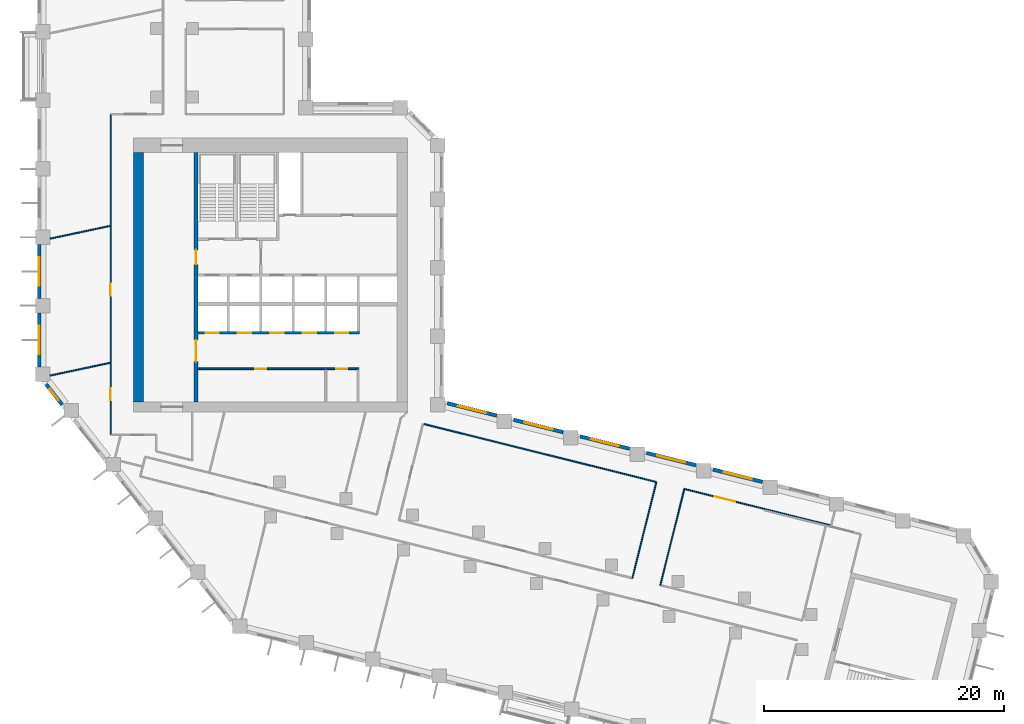
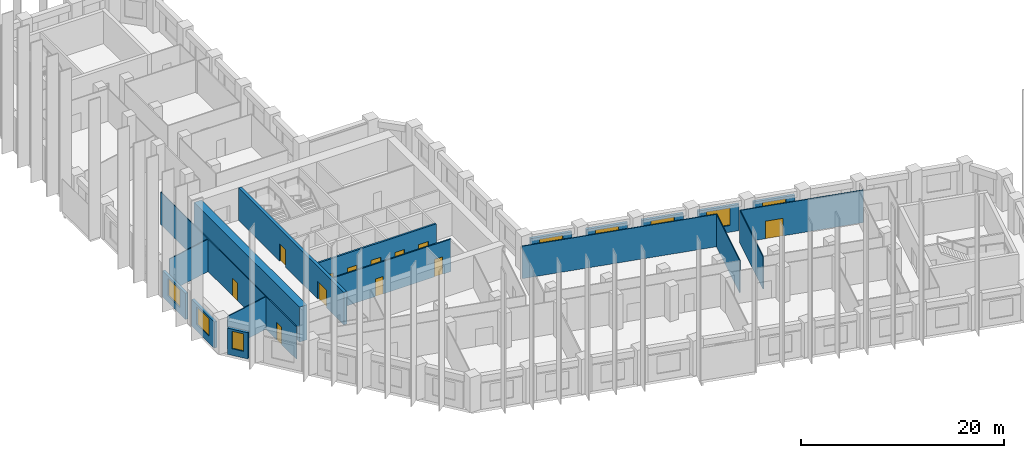
# One storey, part 4 of 10: 19 walls, 12 doors, 8 windows, 20 openings.
"""IFC4 building model written with IfcOpenShell, lengths in metres."""

import ifcopenshell
import ifcopenshell.guid

model = None  # the IFC model being written
_history = None  # IfcOwnerHistory: only IFC2X3 demands one
_inside = {}  # id of a spatial element -> (the spatial element, [elements in it])
_under = {}  # id of a project, library or spatial element -> (it, [spatial elements below it])
_declared = {}  # id of a project -> (the project, [libraries it declares])
_typed = {}  # id of a type object -> (the type object, [elements of that type])
_made_of = {}  # id of a material, layer set ... -> (it, [elements and type objects made of it])


def new_model(schema):
    """Start an empty IFC model of exactly this schema.

    Asked for "IFC4X3", IfcOpenShell would pick the latest addendum, in which some entities
    have other attributes; the version numbers below select the first issue.
    IFC2X3 requires an IfcOwnerHistory on every rooted entity: one is made here for all.
    """
    global model, _history
    if schema == "IFC4X3":
        model = ifcopenshell.file(schema_version=(4, 3, 0, 0))
    else:
        model = ifcopenshell.file(schema=schema)
    _inside.clear()
    _under.clear()
    _declared.clear()
    _typed.clear()
    _made_of.clear()
    _history = None
    if model.schema == "IFC2X3":
        org = make("IfcOrganization", Name="unknown")
        user = make(
            "IfcPersonAndOrganization",
            ThePerson=make("IfcPerson", FamilyName="unknown"),
            TheOrganization=org,
        )
        app = make(
            "IfcApplication",
            ApplicationDeveloper=org,
            Version="unknown",
            ApplicationFullName="unknown",
            ApplicationIdentifier="unknown",
        )
        _history = make(
            "IfcOwnerHistory",
            OwningUser=user,
            OwningApplication=app,
            ChangeAction="ADDED",
            CreationDate=0,
        )
    return model


def make(cls, **values):
    """One entity of the class cls with the attributes given. An attribute that is None is left unset."""
    return model.create_entity(
        cls, **{name: value for name, value in values.items() if value is not None}
    )


def rooted(cls, **values):
    """An entity with a GlobalId (a new one), such as an element, a storey or a relation."""
    return make(cls, GlobalId=ifcopenshell.guid.new(), OwnerHistory=_history, **values)


def si_unit(unit_type, name, prefix=None):
    """IfcSIUnit, for example si_unit("LENGTHUNIT", "METRE", prefix="MILLI")."""
    return make("IfcSIUnit", UnitType=unit_type, Prefix=prefix, Name=name)


def assignment(units):
    """IfcUnitAssignment: the units of a project."""
    return None if units is None else make("IfcUnitAssignment", Units=units)


def point(xyz):
    """IfcCartesianPoint."""
    return None if xyz is None else make("IfcCartesianPoint", Coordinates=xyz)


def direction(xyz):
    """IfcDirection."""
    return None if xyz is None else make("IfcDirection", DirectionRatios=xyz)


def frame(location, z_axis=None, x_axis=None):
    """IfcAxis2Placement3D, a coordinate frame: its origin and axes. An axis left out is left unset."""
    return make(
        "IfcAxis2Placement3D",
        Location=point(location),
        Axis=direction(z_axis),
        RefDirection=direction(x_axis),
    )


def frame_2d(location, x_axis=None):
    """IfcAxis2Placement2D, a coordinate frame in the plane: its origin and x axis."""
    return make(
        "IfcAxis2Placement2D", Location=point(location), RefDirection=direction(x_axis)
    )


def origin():
    """The frame at (0, 0, 0) with its axes left unset."""
    return frame((0.0, 0.0, 0.0))


def place(relative_to, where):
    """IfcLocalPlacement: puts the frame where relative to a parent placement (None: the world)."""
    return make(
        "IfcLocalPlacement", PlacementRelTo=relative_to, RelativePlacement=where
    )


def context(
    kind, dimensions, precision=None, world=None, true_north=None, identifier=None
):
    """IfcGeometricRepresentationContext, for example the 3D "Model" context."""
    return make(
        "IfcGeometricRepresentationContext",
        ContextIdentifier=identifier,
        ContextType=kind,
        CoordinateSpaceDimension=dimensions,
        Precision=precision,
        WorldCoordinateSystem=world,
        TrueNorth=true_north,
    )


def subcontext(parent, identifier, kind, view, scale=None):
    """IfcGeometricRepresentationSubContext, for example "Body" below "Model"."""
    return make(
        "IfcGeometricRepresentationSubContext",
        ContextIdentifier=identifier,
        ContextType=kind,
        ParentContext=parent,
        TargetScale=scale,
        TargetView=view,
    )


def project(units=None, contexts=None):
    """IfcProject with its units and contexts."""
    return rooted(
        "IfcProject",
        Name="project",
        RepresentationContexts=contexts,
        UnitsInContext=assignment(units),
    )


def spatial(cls, under=None, at=None, **own):
    """A site, building, storey or space (cls), placed at a placement, below another one or the project."""
    s = rooted(cls, ObjectPlacement=at, **own)
    if under is not None:
        _under.setdefault(under.id(), (under, []))[1].append(s)
    return s


def profile(cls, at=None, kind="AREA", **sizes):
    """A parametric profile (cls). Its sizes go by their IFC names, for example OverallWidth=200.0."""
    return make(cls, ProfileType=kind, Position=at, **sizes)


def rectangle(**sizes):
    """IfcRectangleProfileDef."""
    return profile("IfcRectangleProfileDef", **sizes)


def extrude(swept, where, along, depth):
    """IfcExtrudedAreaSolid: the profile swept, set in the frame where, extruded along a direction by depth."""
    return make(
        "IfcExtrudedAreaSolid",
        SweptArea=swept,
        Position=where,
        ExtrudedDirection=direction(along),
        Depth=depth,
    )


def shape(context_of_items, identifier, shape_type, items):
    """IfcShapeRepresentation: the items that make up one representation, for example the "Body"."""
    return make(
        "IfcShapeRepresentation",
        ContextOfItems=context_of_items,
        RepresentationIdentifier=identifier,
        RepresentationType=shape_type,
        Items=items,
    )


def material(Name=None, Category=None):
    """IfcMaterial."""
    return make("IfcMaterial", Name=Name, Category=Category)


def layer(
    of_material, thickness, ventilated=None, Name=None, Category=None, Priority=None
):
    """IfcMaterialLayer: one layer of a wall or slab, of a material (None: an air gap)."""
    return make(
        "IfcMaterialLayer",
        Material=of_material,
        LayerThickness=thickness,
        IsVentilated=ventilated,
        Name=Name,
        Category=Category,
        Priority=Priority,
    )


def layer_set(layers, Name=None):
    """IfcMaterialLayerSet."""
    return make("IfcMaterialLayerSet", MaterialLayers=layers, LayerSetName=Name)


def made_of(thing, what):
    """Note that an element or type object is made of a material, layer set ...; save() writes the relation."""
    if what is not None:
        _made_of.setdefault(what.id(), (what, []))[1].append(thing)
    return thing


def type_object(cls, material=None, **own):
    """A type object (cls), such as IfcWallType, which elements share."""
    return made_of(rooted(cls, **own), material)


def element(
    cls,
    number,
    at=None,
    inside=None,
    cuts=None,
    type_object=None,
    material=None,
    context=None,
    identifier="Body",
    shape_type=None,
    held_by="IfcProductDefinitionShape",
    body=None,
    shapes=None,
    **own,
):
    """One element of the class cls, such as IfcWall. Its Tag is "e" and its number.

    at: its placement. inside: the storey or other place that contains it. cuts: it is an
    opening in that element (IfcRelVoidsElement). A single representation is given by context,
    identifier, shape_type and body (its items); several are given by shapes. held_by: the class
    of the entity that holds the representations. save() writes the other relations.
    """
    e = rooted(cls, Tag="e%d" % number, ObjectPlacement=at, **own)
    if body is not None:
        shapes = [shape(context, identifier, shape_type, body)]
    if shapes is not None:
        e.Representation = make(held_by, Representations=shapes)
    if inside is not None:
        _inside.setdefault(inside.id(), (inside, []))[1].append(e)
    if cuts is not None:
        rooted(
            "IfcRelVoidsElement", RelatingBuildingElement=cuts, RelatedOpeningElement=e
        )
    if type_object is not None:
        _typed.setdefault(type_object.id(), (type_object, []))[1].append(e)
    return made_of(e, material)


def fill(opening, filler):
    """IfcRelFillsElement: the door or window that sits in an opening."""
    return rooted(
        "IfcRelFillsElement",
        RelatingOpeningElement=opening,
        RelatedBuildingElement=filler,
    )


def aggregate(whole, parts):
    """IfcRelAggregates: a whole, such as a stair, and the parts it consists of."""
    return rooted("IfcRelAggregates", RelatingObject=whole, RelatedObjects=parts)


def save(model, path):
    """Write the relations noted so far, then the file.

    IfcRelAggregates (storeys below a building ...), IfcRelContainedInSpatialStructure (elements
    in a storey), IfcRelDefinesByType, IfcRelAssociatesMaterial and IfcRelDeclares: one each for
    every whole, place, type object, material and project.
    """
    for whole, parts in _under.values():
        aggregate(whole, parts)
    for where, things in _inside.values():
        rooted(
            "IfcRelContainedInSpatialStructure",
            RelatedElements=things,
            RelatingStructure=where,
        )
    for kind, things in _typed.values():
        rooted("IfcRelDefinesByType", RelatedObjects=things, RelatingType=kind)
    for what, things in _made_of.values():
        rooted("IfcRelAssociatesMaterial", RelatedObjects=things, RelatingMaterial=what)
    for by, libraries in _declared.values():
        rooted("IfcRelDeclares", RelatingContext=by, RelatedDefinitions=libraries)
    model.write(path)


model = new_model("IFC4")

# Units and contexts
model_context = context("Model", 3, precision=1e-05, world=origin(), true_north=direction((0.0, 1.0)))
body_context = subcontext(model_context, "Body", "Model", "MODEL_VIEW")
ifc_project = project(units=[si_unit("LENGTHUNIT", "METRE"), si_unit("AREAUNIT", "SQUARE_METRE"), si_unit("VOLUMEUNIT", "CUBIC_METRE"), si_unit("PLANEANGLEUNIT", "RADIAN"), si_unit("MASSUNIT", "GRAM", prefix="KILO")], contexts=[model_context])

# Site, building, storey
site_placement = place(None, origin())
site = spatial("IfcSite", under=ifc_project, at=site_placement, CompositionType="ELEMENT")
building_placement = place(site_placement, origin())
building = spatial("IfcBuilding", under=site, at=building_placement, Name="Meshkara Civic Tower", CompositionType="ELEMENT")
storey_placement = place(building_placement, frame((0.0, 0.0, 178.199951171875)))
storey = spatial("IfcBuildingStorey", under=building, at=storey_placement, Name="L40", CompositionType="ELEMENT", Elevation=178.199951171875)

# Wall, openings, doors
ifc_material_1 = material(Name="Blockwork", Category="masonry")
ifc_layer_1 = layer(ifc_material_1, 0.14990234375)
ifc_layer_set_1 = layer_set([ifc_layer_1], Name="Core partition 150")
wall_type_1 = type_object("IfcWallType", Name="Core partition 150", PredefinedType="PARTITIONING", material=ifc_layer_set_1)
wall_1_placement = place(storey_placement, frame((13.3701171875, 17.699951171875, 0.0), z_axis=(0.0, 0.0, 1.0), x_axis=(1.0, 0.0, 0.0)))
wall_1 = element("IfcWall", 1, at=wall_1_placement, inside=storey, type_object=wall_type_1, Name="L40-C005", PredefinedType="PARTITIONING", context=body_context, shape_type="SweptSolid", body=[
    extrude(rectangle(XDim=13.40478515625, YDim=0.14990234375, at=frame_2d((6.702392578125, 0.0))), origin(), (0.0, 0.0, 1.0), 3.900146484375),
])
opening_1_placement = place(wall_1_placement, frame((4.780029296875, 0.0, 0.0)))
opening_1 = element("IfcOpeningElement", 2, at=opening_1_placement, cuts=wall_1, Name="Opening L40-K010", PredefinedType="OPENING", context=body_context, shape_type="SweptSolid", body=[
    extrude(rectangle(XDim=0.89990234375, YDim=2.10009765625, at=frame_2d((0.449951171875, 1.050048828125))), frame((0.0, 0.0849609375, 0.0), z_axis=(0.0, -1.0, 0.0), x_axis=(1.0, 0.0, 0.0)), (0.0, 0.0, 1.0), 0.169921875),
])
opening_2_placement = place(wall_1_placement, frame((11.530029296875, 0.0, 0.0)))
opening_2 = element("IfcOpeningElement", 3, at=opening_2_placement, cuts=wall_1, Name="Opening L40-K011", PredefinedType="OPENING", context=body_context, shape_type="SweptSolid", body=[
    extrude(rectangle(XDim=0.89990234375, YDim=2.10009765625, at=frame_2d((0.449951171875, 1.050048828125))), frame((0.0, 0.0849609375, 0.0), z_axis=(0.0, -1.0, 0.0), x_axis=(1.0, 0.0, 0.0)), (0.0, 0.0, 1.0), 0.169921875),
])
ifc_material_2 = material(Name="Timber door leaf in steel frame", Category="steel")
door_type_1 = type_object("IfcDoorType", Name="Core room door 900", OperationType="SINGLE_SWING_LEFT", PredefinedType="DOOR", material=ifc_material_2)
door_1_placement = place(opening_1_placement, origin())
door_1 = element("IfcDoor", 4, at=door_1_placement, inside=storey, type_object=door_type_1, Name="L40-K010", OperationType="SINGLE_SWING_LEFT", OverallHeight=2.10009765625, OverallWidth=0.89990234375, PredefinedType="DOOR", context=body_context, shape_type="SweptSolid", body=[
    extrude(rectangle(XDim=0.89990234375, YDim=2.10009765625, at=frame_2d((0.449951171875, 1.050048828125))), frame((0.0, 0.02490234375, 0.0), z_axis=(0.0, -1.0, 0.0), x_axis=(1.0, 0.0, 0.0)), (0.0, 0.0, 1.0), 0.050048828125),
])
fill(opening_1, door_1)
door_2_placement = place(opening_2_placement, origin())
door_2 = element("IfcDoor", 5, at=door_2_placement, inside=storey, type_object=door_type_1, Name="L40-K011", OperationType="SINGLE_SWING_LEFT", OverallHeight=2.10009765625, OverallWidth=0.89990234375, PredefinedType="DOOR", context=body_context, shape_type="SweptSolid", body=[
    extrude(rectangle(XDim=0.89990234375, YDim=2.10009765625, at=frame_2d((0.449951171875, 1.050048828125))), frame((0.0, 0.02490234375, 0.0), z_axis=(0.0, -1.0, 0.0), x_axis=(1.0, 0.0, 0.0)), (0.0, 0.0, 1.0), 0.050048828125),
])
fill(opening_2, door_2)

# Wall
ifc_material_3 = material(Name="Concrete C70", Category="concrete")
ifc_layer_2 = layer(ifc_material_3, 0.85009765625)
ifc_layer_set_2 = layer_set([ifc_layer_2], Name="Core ring wall 850 C70")
wall_type_2 = type_object("IfcWallType", Name="Core ring wall 850 C70", PredefinedType="SHEAR", material=ifc_layer_set_2)
wall_2_placement = place(storey_placement, frame((8.425048828125, 14.949951171875, -0.300048828125), z_axis=(0.0, 0.0, 1.0), x_axis=(0.0, 1.0, 0.0)))
element("IfcWall", 6, at=wall_2_placement, inside=storey, type_object=wall_type_2, Name="L40-C003", PredefinedType="SHEAR", context=body_context, shape_type="SweptSolid", body=[
    extrude(rectangle(XDim=20.75, YDim=0.85009765625, at=frame_2d((10.375, 0.0))), origin(), (0.0, 0.0, 1.0), 4.2001953125),
])

# Wall, openings, doors
ifc_material_4 = material(Name="Concrete C70", Category="concrete")
ifc_layer_3 = layer(ifc_material_4, 0.340087890625)
ifc_layer_set_3 = layer_set([ifc_layer_3], Name="Core shear wall 340 C70")
wall_type_3 = type_object("IfcWallType", Name="Core shear wall 340 C70", PredefinedType="SHEAR", material=ifc_layer_set_3)
wall_3_placement = place(storey_placement, frame((13.199951171875, 14.949951171875, 0.0), z_axis=(0.0, 0.0, 1.0), x_axis=(0.0, 1.0, 0.0)))
wall_3 = element("IfcWall", 7, at=wall_3_placement, inside=storey, type_object=wall_type_3, Name="L40-C011", PredefinedType="SHEAR", context=body_context, shape_type="SweptSolid", body=[
    extrude(rectangle(XDim=20.75, YDim=0.340087890625, at=frame_2d((10.375, 0.0))), origin(), (0.0, 0.0, 1.0), 3.900146484375),
])
opening_3_placement = place(wall_3_placement, frame((3.35009765625, 0.0, 0.0)))
opening_3 = element("IfcOpeningElement", 8, at=opening_3_placement, cuts=wall_3, Name="Opening L40-K016", PredefinedType="OPENING", context=body_context, shape_type="SweptSolid", body=[
    extrude(rectangle(XDim=1.800048828125, YDim=2.10009765625, at=frame_2d((0.89990234375, 1.050048828125))), frame((0.0, 0.179931640625, 0.0), z_axis=(0.0, -1.0, 0.0), x_axis=(1.0, 0.0, 0.0)), (0.0, 0.0, 1.0), 0.360107421875),
])
opening_4_placement = place(wall_3_placement, frame((11.449951171875, 0.0, 0.0)))
opening_4 = element("IfcOpeningElement", 9, at=opening_4_placement, cuts=wall_3, Name="Opening L40-K017", PredefinedType="OPENING", context=body_context, shape_type="SweptSolid", body=[
    extrude(rectangle(XDim=1.199951171875, YDim=2.10009765625, at=frame_2d((0.60009765625, 1.050048828125))), frame((0.0, 0.179931640625, 0.0), z_axis=(0.0, -1.0, 0.0), x_axis=(1.0, 0.0, 0.0)), (0.0, 0.0, 1.0), 0.360107421875),
])
ifc_material_5 = material(Name="Fire-rated door leaf in steel frame", Category="steel")
door_type_2 = type_object("IfcDoorType", Name="Core double door 1800 EI 60", OperationType="DOUBLE_DOOR_SINGLE_SWING", PredefinedType="DOOR", material=ifc_material_5)
door_3_placement = place(opening_3_placement, origin())
door_3 = element("IfcDoor", 10, at=door_3_placement, inside=storey, type_object=door_type_2, Name="L40-K016", OperationType="DOUBLE_DOOR_SINGLE_SWING", OverallHeight=2.10009765625, OverallWidth=1.800048828125, PredefinedType="DOOR", context=body_context, shape_type="SweptSolid", body=[
    extrude(rectangle(XDim=1.800048828125, YDim=2.10009765625, at=frame_2d((0.89990234375, 1.050048828125))), frame((0.0, 0.02490234375, 0.0), z_axis=(0.0, -1.0, 0.0), x_axis=(1.0, 0.0, 0.0)), (0.0, 0.0, 1.0), 0.050048828125),
])
fill(opening_3, door_3)
ifc_material_6 = material(Name="Fire-rated door leaf in steel frame", Category="steel")
door_type_3 = type_object("IfcDoorType", Name="Fire-fighting lobby door 1200 EI 120", OperationType="SINGLE_SWING_LEFT", PredefinedType="DOOR", material=ifc_material_6)
door_4_placement = place(opening_4_placement, origin())
door_4 = element("IfcDoor", 11, at=door_4_placement, inside=storey, type_object=door_type_3, Name="L40-K017", OperationType="SINGLE_SWING_LEFT", OverallHeight=2.10009765625, OverallWidth=1.199951171875, PredefinedType="DOOR", context=body_context, shape_type="SweptSolid", body=[
    extrude(rectangle(XDim=1.199951171875, YDim=2.10009765625, at=frame_2d((0.60009765625, 1.050048828125))), frame((0.0, 0.02490234375, 0.0), z_axis=(0.0, -1.0, 0.0), x_axis=(1.0, 0.0, 0.0)), (0.0, 0.0, 1.0), 0.050048828125),
])
fill(opening_4, door_4)

ifc_material_7 = material(Name="Corridor wall 100")
ifc_layer_4 = layer(ifc_material_7, 0.10009765625)
ifc_layer_set_4 = layer_set([ifc_layer_4], Name="Corridor wall 100")
wall_type_4 = type_object("IfcWallType", Name="Corridor wall 100", PredefinedType="PARTITIONING", material=ifc_layer_set_4)
wall_4_placement = place(storey_placement, frame((6.10009765625, 12.199951171875, 0.0), z_axis=(0.0, 0.0, 1.0), x_axis=(0.0, 1.0, 0.0)))
wall_4 = element("IfcWall", 12, at=wall_4_placement, inside=storey, type_object=wall_type_4, Name="L40-W004", PredefinedType="PARTITIONING", context=body_context, shape_type="SweptSolid", body=[
    extrude(rectangle(XDim=26.699951171875, YDim=0.10009765625, at=frame_2d((13.35009765625, 0.0))), origin(), (0.0, 0.0, 1.0), 3.900146484375),
])
opening_5_placement = place(wall_4_placement, frame((2.8798828125, 0.0, 0.0)))
opening_5 = element("IfcOpeningElement", 13, at=opening_5_placement, cuts=wall_4, Name="Opening L40-D014", PredefinedType="OPENING", context=body_context, shape_type="SweptSolid", body=[
    extrude(rectangle(XDim=1.0, YDim=2.10009765625, at=frame_2d((0.5, 1.050048828125))), frame((0.0, 0.06005859375, 0.0), z_axis=(0.0, -1.0, 0.0), x_axis=(1.0, 0.0, 0.0)), (0.0, 0.0, 1.0), 0.1201171875),
])
opening_6_placement = place(wall_4_placement, frame((11.577880859375, 0.0, 0.0)))
opening_6 = element("IfcOpeningElement", 14, at=opening_6_placement, cuts=wall_4, Name="Opening L40-D016", PredefinedType="OPENING", context=body_context, shape_type="SweptSolid", body=[
    extrude(rectangle(XDim=1.0, YDim=2.10009765625, at=frame_2d((0.5, 1.050048828125))), frame((0.0, 0.06005859375, 0.0), z_axis=(0.0, -1.0, 0.0), x_axis=(1.0, 0.0, 0.0)), (0.0, 0.0, 1.0), 0.1201171875),
])
ifc_material_8 = material(Name="Door 1000 x 2100")
door_type_4 = type_object("IfcDoorType", Name="Door 1000 x 2100", OperationType="SINGLE_SWING_LEFT", PredefinedType="DOOR", material=ifc_material_8)
door_5_placement = place(opening_5_placement, origin())
door_5 = element("IfcDoor", 15, at=door_5_placement, inside=storey, type_object=door_type_4, Name="L40-D014", OperationType="SINGLE_SWING_RIGHT", OverallHeight=2.10009765625, OverallWidth=1.0, PredefinedType="DOOR", context=body_context, shape_type="SweptSolid", body=[
    extrude(rectangle(XDim=1.0, YDim=2.10009765625, at=frame_2d((0.5, 1.050048828125))), frame((0.0, 0.02490234375, 0.0), z_axis=(0.0, -1.0, 0.0), x_axis=(1.0, 0.0, 0.0)), (0.0, 0.0, 1.0), 0.050048828125),
])
fill(opening_5, door_5)
door_6_placement = place(opening_6_placement, origin())
door_6 = element("IfcDoor", 16, at=door_6_placement, inside=storey, type_object=door_type_4, Name="L40-D016", OperationType="SINGLE_SWING_RIGHT", OverallHeight=2.10009765625, OverallWidth=1.0, PredefinedType="DOOR", context=body_context, shape_type="SweptSolid", body=[
    extrude(rectangle(XDim=1.0, YDim=2.10009765625, at=frame_2d((0.5, 1.050048828125))), frame((0.0, 0.02490234375, 0.0), z_axis=(0.0, -1.0, 0.0), x_axis=(1.0, 0.0, 0.0)), (0.0, 0.0, 1.0), 0.050048828125),
])
fill(opening_6, door_6)

# Walls
wall_5_placement = place(storey_placement, frame((32.196044921875, 13.10009765625, 0.0), z_axis=(0.0, 0.0, 1.0), x_axis=(0.970300822777, -0.241901453734, 0.0)))
element("IfcWall", 17, at=wall_5_placement, inside=storey, type_object=wall_type_4, Name="L40-W029", PredefinedType="PARTITIONING", context=body_context, shape_type="SweptSolid", body=[
    extrude(rectangle(XDim=19.9296875, YDim=0.10009765625, at=frame_2d((9.96484375, 0.0))), origin(), (0.0, 0.0, 1.0), 3.900146484375),
])
wall_6_placement = place(storey_placement, frame((51.533935546875, 8.279052734375, 0.0), z_axis=(0.0, 0.0, 1.0), x_axis=(-0.241999851509, -0.970276286359, 0.0)))
element("IfcWall", 18, at=wall_6_placement, inside=storey, type_object=wall_type_4, Name="L40-W031", PredefinedType="PARTITIONING", context=body_context, shape_type="SweptSolid", body=[
    extrude(rectangle(XDim=8.25634765625, YDim=0.10009765625, at=frame_2d((4.128173828125, 0.0))), origin(), (0.0, 0.0, 1.0), 3.900146484375),
])
wall_7_placement = place(storey_placement, frame((51.864990234375, -0.31298828125, 0.0), z_axis=(0.0, 0.0, 1.0), x_axis=(0.241888494143, 0.970304053584, 0.0)))
element("IfcWall", 19, at=wall_7_placement, inside=storey, type_object=wall_type_4, Name="L40-W032", PredefinedType="PARTITIONING", context=body_context, shape_type="SweptSolid", body=[
    extrude(rectangle(XDim=8.256103515625, YDim=0.10009765625, at=frame_2d((4.1279296875, 0.0))), origin(), (0.0, 0.0, 1.0), 3.900146484375),
])

# Wall, opening, door
wall_8_placement = place(storey_placement, frame((53.862060546875, 7.697998046875, 0.0), z_axis=(0.0, 0.0, 1.0), x_axis=(0.970293911745, -0.24192917317, 0.0)))
wall_8 = element("IfcWall", 20, at=wall_8_placement, inside=storey, type_object=wall_type_4, Name="L40-W033", PredefinedType="PARTITIONING", context=body_context, shape_type="SweptSolid", body=[
    extrude(rectangle(XDim=12.59912109375, YDim=0.10009765625, at=frame_2d((6.299560546875, 0.0))), origin(), (0.0, 0.0, 1.0), 3.900146484375),
])
opening_7_placement = place(wall_8_placement, frame((2.580078125, 0.0, 0.0)))
opening_7 = element("IfcOpeningElement", 21, at=opening_7_placement, cuts=wall_8, Name="Opening L40-D013", PredefinedType="OPENING", context=body_context, shape_type="SweptSolid", body=[
    extrude(rectangle(XDim=1.800048828125, YDim=2.10009765625, at=frame_2d((0.89990234375, 1.050048828125))), frame((0.0, 0.06005859375, 0.0), z_axis=(0.0, -1.0, 0.0), x_axis=(1.0, 0.0, 0.0)), (0.0, 0.0, 1.0), 0.1201171875),
])
ifc_material_9 = material(Name="Door pair 1800 x 2100")
door_type_5 = type_object("IfcDoorType", Name="Door pair 1800 x 2100", OperationType="SINGLE_SWING_LEFT", PredefinedType="DOOR", material=ifc_material_9)
door_7_placement = place(opening_7_placement, origin())
door_7 = element("IfcDoor", 22, at=door_7_placement, inside=storey, type_object=door_type_5, Name="L40-D013", OperationType="DOUBLE_DOOR_SINGLE_SWING", OverallHeight=2.10009765625, OverallWidth=1.800048828125, PredefinedType="DOOR", context=body_context, shape_type="SweptSolid", body=[
    extrude(rectangle(XDim=1.800048828125, YDim=2.10009765625, at=frame_2d((0.89990234375, 1.050048828125))), frame((0.0, 0.02490234375, 0.0), z_axis=(0.0, -1.0, 0.0), x_axis=(1.0, 0.0, 0.0)), (0.0, 0.0, 1.0), 0.050048828125),
])
fill(opening_7, door_7)

# Wall, opening, window
ifc_material_10 = material(Name="Insulated infill panel with bronze anodised aluminium cladding", Category="aluminium")
ifc_layer_5 = layer(ifc_material_10, 0.300048828125)
ifc_layer_set_5 = layer_set([ifc_layer_5], Name="EXTERNAL INFILL WALL 300")
wall_type_5 = type_object("IfcWallType", Name="EXTERNAL INFILL WALL 300", PredefinedType="SOLIDWALL", material=ifc_layer_set_5)
wall_9_placement = place(storey_placement, frame((60.3701171875, 8.291015625, 0.0), z_axis=(0.0, 0.0, 1.0), x_axis=(-0.970291164166, 0.241940192487, 0.0)))
wall_9 = element("IfcWall", 23, at=wall_9_placement, inside=storey, type_object=wall_type_5, Name="External wall", PredefinedType="SOLIDWALL", context=body_context, shape_type="SweptSolid", body=[
    extrude(rectangle(XDim=4.245361328125, YDim=0.300048828125, at=frame_2d((2.12255859375, 0.0))), origin(), (0.0, 0.0, 1.0), 3.150146484375),
])
opening_8_placement = place(wall_9_placement, frame((0.922119140625, 0.0, 0.800048828125)))
opening_8 = element("IfcOpeningElement", 24, at=opening_8_placement, cuts=wall_9, Name="Opening W7", PredefinedType="OPENING", context=body_context, shape_type="SweptSolid", body=[
    extrude(rectangle(XDim=2.39990234375, YDim=2.10009765625, at=frame_2d((1.199951171875, 1.050048828125))), frame((0.0, 0.159912109375, 0.0), z_axis=(0.0, -1.0, 0.0), x_axis=(1.0, 0.0, 0.0)), (0.0, 0.0, 1.0), 0.320068359375),
])
ifc_material_11 = material(Name="Tinted double glazing", Category="glass")
window_type_1 = type_object("IfcWindowType", Name="WINDOW 2400x2100", PartitioningType="DOUBLE_PANEL_VERTICAL", PredefinedType="WINDOW", material=ifc_material_11)
window_1_placement = place(opening_8_placement, origin())
window_1 = element("IfcWindow", 25, at=window_1_placement, inside=storey, type_object=window_type_1, Name="Window", OverallHeight=2.10009765625, OverallWidth=2.39990234375, PartitioningType="DOUBLE_PANEL_VERTICAL", PredefinedType="WINDOW", context=body_context, shape_type="SweptSolid", body=[
    extrude(rectangle(XDim=2.39990234375, YDim=2.10009765625, at=frame_2d((1.199951171875, 1.050048828125))), frame((0.0, 0.030029296875, 0.0), z_axis=(0.0, -1.0, 0.0), x_axis=(1.0, 0.0, 0.0)), (0.0, 0.0, 1.0), 0.06005859375),
])
fill(opening_8, window_1)

wall_10_placement = place(storey_placement, frame((54.840087890625, 9.669921875, 0.0), z_axis=(0.0, 0.0, 1.0), x_axis=(-0.97030462482, 0.241886202691, 0.0)))
wall_10 = element("IfcWall", 26, at=wall_10_placement, inside=storey, type_object=wall_type_5, Name="External wall", PredefinedType="SOLIDWALL", context=body_context, shape_type="SweptSolid", body=[
    extrude(rectangle(XDim=4.24609375, YDim=0.300048828125, at=frame_2d((2.123046875, 0.0))), origin(), (0.0, 0.0, 1.0), 3.150146484375),
])
opening_9_placement = place(wall_10_placement, frame((0.923095703125, 0.0, 0.800048828125)))
opening_9 = element("IfcOpeningElement", 27, at=opening_9_placement, cuts=wall_10, Name="Opening W7", PredefinedType="OPENING", context=body_context, shape_type="SweptSolid", body=[
    extrude(rectangle(XDim=2.39990234375, YDim=2.10009765625, at=frame_2d((1.199951171875, 1.050048828125))), frame((0.0, 0.159912109375, 0.0), z_axis=(0.0, -1.0, 0.0), x_axis=(1.0, 0.0, 0.0)), (0.0, 0.0, 1.0), 0.320068359375),
])
window_2_placement = place(opening_9_placement, origin())
window_2 = element("IfcWindow", 28, at=window_2_placement, inside=storey, type_object=window_type_1, Name="Window", OverallHeight=2.10009765625, OverallWidth=2.39990234375, PartitioningType="DOUBLE_PANEL_VERTICAL", PredefinedType="WINDOW", context=body_context, shape_type="SweptSolid", body=[
    extrude(rectangle(XDim=2.39990234375, YDim=2.10009765625, at=frame_2d((1.199951171875, 1.050048828125))), frame((0.0, 0.030029296875, 0.0), z_axis=(0.0, -1.0, 0.0), x_axis=(1.0, 0.0, 0.0)), (0.0, 0.0, 1.0), 0.06005859375),
])
fill(opening_9, window_2)

wall_11_placement = place(storey_placement, frame((49.30908203125, 11.049072265625, 0.0), z_axis=(0.0, 0.0, 1.0), x_axis=(-0.970264129329, 0.242048588793, 0.0)))
wall_11 = element("IfcWall", 29, at=wall_11_placement, inside=storey, type_object=wall_type_5, Name="External wall", PredefinedType="SOLIDWALL", context=body_context, shape_type="SweptSolid", body=[
    extrude(rectangle(XDim=4.246337890625, YDim=0.300048828125, at=frame_2d((2.123046875, 0.0))), origin(), (0.0, 0.0, 1.0), 3.150146484375),
])
opening_10_placement = place(wall_11_placement, frame((0.923095703125, 0.0, 0.800048828125)))
opening_10 = element("IfcOpeningElement", 30, at=opening_10_placement, cuts=wall_11, Name="Opening W7", PredefinedType="OPENING", context=body_context, shape_type="SweptSolid", body=[
    extrude(rectangle(XDim=2.39990234375, YDim=2.10009765625, at=frame_2d((1.199951171875, 1.050048828125))), frame((0.0, 0.159912109375, 0.0), z_axis=(0.0, -1.0, 0.0), x_axis=(1.0, 0.0, 0.0)), (0.0, 0.0, 1.0), 0.320068359375),
])
window_3_placement = place(opening_10_placement, origin())
window_3 = element("IfcWindow", 31, at=window_3_placement, inside=storey, type_object=window_type_1, Name="Window", OverallHeight=2.10009765625, OverallWidth=2.39990234375, PartitioningType="DOUBLE_PANEL_VERTICAL", PredefinedType="WINDOW", context=body_context, shape_type="SweptSolid", body=[
    extrude(rectangle(XDim=2.39990234375, YDim=2.10009765625, at=frame_2d((1.199951171875, 1.050048828125))), frame((0.0, 0.030029296875, 0.0), z_axis=(0.0, -1.0, 0.0), x_axis=(1.0, 0.0, 0.0)), (0.0, 0.0, 1.0), 0.06005859375),
])
fill(opening_10, window_3)

wall_12_placement = place(storey_placement, frame((43.778076171875, 12.427978515625, 0.0), z_axis=(0.0, 0.0, 1.0), x_axis=(-0.970291164166, 0.241940192487, 0.0)))
wall_12 = element("IfcWall", 32, at=wall_12_placement, inside=storey, type_object=wall_type_5, Name="External wall", PredefinedType="SOLIDWALL", context=body_context, shape_type="SweptSolid", body=[
    extrude(rectangle(XDim=4.245361328125, YDim=0.300048828125, at=frame_2d((2.12255859375, 0.0))), origin(), (0.0, 0.0, 1.0), 3.150146484375),
])
opening_11_placement = place(wall_12_placement, frame((0.922119140625, 0.0, 0.800048828125)))
opening_11 = element("IfcOpeningElement", 33, at=opening_11_placement, cuts=wall_12, Name="Opening W7", PredefinedType="OPENING", context=body_context, shape_type="SweptSolid", body=[
    extrude(rectangle(XDim=2.39990234375, YDim=2.10009765625, at=frame_2d((1.199951171875, 1.050048828125))), frame((0.0, 0.159912109375, 0.0), z_axis=(0.0, -1.0, 0.0), x_axis=(1.0, 0.0, 0.0)), (0.0, 0.0, 1.0), 0.320068359375),
])
window_4_placement = place(opening_11_placement, origin())
window_4 = element("IfcWindow", 34, at=window_4_placement, inside=storey, type_object=window_type_1, Name="Window", OverallHeight=2.10009765625, OverallWidth=2.39990234375, PartitioningType="DOUBLE_PANEL_VERTICAL", PredefinedType="WINDOW", context=body_context, shape_type="SweptSolid", body=[
    extrude(rectangle(XDim=2.39990234375, YDim=2.10009765625, at=frame_2d((1.199951171875, 1.050048828125))), frame((0.0, 0.030029296875, 0.0), z_axis=(0.0, -1.0, 0.0), x_axis=(1.0, 0.0, 0.0)), (0.0, 0.0, 1.0), 0.06005859375),
])
fill(opening_11, window_4)

wall_13_placement = place(storey_placement, frame((38.248046875, 13.806884765625, 0.0), z_axis=(0.0, 0.0, 1.0), x_axis=(-0.970250625545, 0.242102712975, 0.0)))
wall_13 = element("IfcWall", 35, at=wall_13_placement, inside=storey, type_object=wall_type_5, Name="External wall", PredefinedType="SOLIDWALL", context=body_context, shape_type="SweptSolid", body=[
    extrude(rectangle(XDim=4.246337890625, YDim=0.300048828125, at=frame_2d((2.123046875, 0.0))), origin(), (0.0, 0.0, 1.0), 3.150146484375),
])
opening_12_placement = place(wall_13_placement, frame((0.923095703125, 0.0, 0.800048828125)))
opening_12 = element("IfcOpeningElement", 36, at=opening_12_placement, cuts=wall_13, Name="Opening W7", PredefinedType="OPENING", context=body_context, shape_type="SweptSolid", body=[
    extrude(rectangle(XDim=2.39990234375, YDim=2.10009765625, at=frame_2d((1.199951171875, 1.050048828125))), frame((0.0, 0.159912109375, 0.0), z_axis=(0.0, -1.0, 0.0), x_axis=(1.0, 0.0, 0.0)), (0.0, 0.0, 1.0), 0.320068359375),
])
window_5_placement = place(opening_12_placement, origin())
window_5 = element("IfcWindow", 37, at=window_5_placement, inside=storey, type_object=window_type_1, Name="Window", OverallHeight=2.10009765625, OverallWidth=2.39990234375, PartitioningType="DOUBLE_PANEL_VERTICAL", PredefinedType="WINDOW", context=body_context, shape_type="SweptSolid", body=[
    extrude(rectangle(XDim=2.39990234375, YDim=2.10009765625, at=frame_2d((1.199951171875, 1.050048828125))), frame((0.0, 0.030029296875, 0.0), z_axis=(0.0, -1.0, 0.0), x_axis=(1.0, 0.0, 0.0)), (0.0, 0.0, 1.0), 0.06005859375),
])
fill(opening_12, window_5)

wall_14_placement = place(storey_placement, frame((0.14990234375, 28.054931640625, 0.0), z_axis=(0.0, 0.0, 1.0), x_axis=(0.0, -1.0, 0.0)))
wall_14 = element("IfcWall", 38, at=wall_14_placement, inside=storey, type_object=wall_type_5, Name="External wall", PredefinedType="SOLIDWALL", context=body_context, shape_type="SweptSolid", body=[
    extrude(rectangle(XDim=4.5, YDim=0.300048828125, at=frame_2d((2.25, 0.0))), origin(), (0.0, 0.0, 1.0), 3.150146484375),
])
opening_13_placement = place(wall_14_placement, frame((1.050048828125, 0.0, 0.800048828125)))
opening_13 = element("IfcOpeningElement", 39, at=opening_13_placement, cuts=wall_14, Name="Opening W7", PredefinedType="OPENING", context=body_context, shape_type="SweptSolid", body=[
    extrude(rectangle(XDim=2.39990234375, YDim=2.10009765625, at=frame_2d((1.199951171875, 1.050048828125))), frame((0.0, 0.159912109375, 0.0), z_axis=(0.0, -1.0, 0.0), x_axis=(1.0, 0.0, 0.0)), (0.0, 0.0, 1.0), 0.320068359375),
])
window_6_placement = place(opening_13_placement, origin())
window_6 = element("IfcWindow", 40, at=window_6_placement, inside=storey, type_object=window_type_1, Name="Window", OverallHeight=2.10009765625, OverallWidth=2.39990234375, PartitioningType="DOUBLE_PANEL_VERTICAL", PredefinedType="WINDOW", context=body_context, shape_type="SweptSolid", body=[
    extrude(rectangle(XDim=2.39990234375, YDim=2.10009765625, at=frame_2d((1.199951171875, 1.050048828125))), frame((0.0, 0.030029296875, 0.0), z_axis=(0.0, -1.0, 0.0), x_axis=(1.0, 0.0, 0.0)), (0.0, 0.0, 1.0), 0.06005859375),
])
fill(opening_13, window_6)

wall_15_placement = place(storey_placement, frame((0.14990234375, 22.35498046875, 0.0), z_axis=(0.0, 0.0, 1.0), x_axis=(0.0, -1.0, 0.0)))
wall_15 = element("IfcWall", 41, at=wall_15_placement, inside=storey, type_object=wall_type_5, Name="External wall", PredefinedType="SOLIDWALL", context=body_context, shape_type="SweptSolid", body=[
    extrude(rectangle(XDim=4.5, YDim=0.300048828125, at=frame_2d((2.25, 0.0))), origin(), (0.0, 0.0, 1.0), 3.150146484375),
])
opening_14_placement = place(wall_15_placement, frame((1.050048828125, 0.0, 0.800048828125)))
opening_14 = element("IfcOpeningElement", 42, at=opening_14_placement, cuts=wall_15, Name="Opening W7", PredefinedType="OPENING", context=body_context, shape_type="SweptSolid", body=[
    extrude(rectangle(XDim=2.39990234375, YDim=2.10009765625, at=frame_2d((1.199951171875, 1.050048828125))), frame((0.0, 0.159912109375, 0.0), z_axis=(0.0, -1.0, 0.0), x_axis=(1.0, 0.0, 0.0)), (0.0, 0.0, 1.0), 0.320068359375),
])
window_7_placement = place(opening_14_placement, origin())
window_7 = element("IfcWindow", 43, at=window_7_placement, inside=storey, type_object=window_type_1, Name="Window", OverallHeight=2.10009765625, OverallWidth=2.39990234375, PartitioningType="DOUBLE_PANEL_VERTICAL", PredefinedType="WINDOW", context=body_context, shape_type="SweptSolid", body=[
    extrude(rectangle(XDim=2.39990234375, YDim=2.10009765625, at=frame_2d((1.199951171875, 1.050048828125))), frame((0.0, 0.030029296875, 0.0), z_axis=(0.0, -1.0, 0.0), x_axis=(1.0, 0.0, 0.0)), (0.0, 0.0, 1.0), 0.06005859375),
])
fill(opening_14, window_7)

wall_16_placement = place(storey_placement, frame((0.73193359375, 16.406982421875, 0.0), z_axis=(0.0, 0.0, 1.0), x_axis=(0.615593496459, -0.788063859797, 0.0)))
wall_16 = element("IfcWall", 44, at=wall_16_placement, inside=storey, type_object=wall_type_5, Name="External wall", PredefinedType="SOLIDWALL", context=body_context, shape_type="SweptSolid", body=[
    extrude(rectangle(XDim=2.156005859375, YDim=0.300048828125, at=frame_2d((1.078125, 0.0))), origin(), (0.0, 0.0, 1.0), 3.150146484375),
])
opening_15_placement = place(wall_16_placement, frame((0.47802734375, 0.0, 0.800048828125)))
opening_15 = element("IfcOpeningElement", 45, at=opening_15_placement, cuts=wall_16, Name="Opening W3", PredefinedType="OPENING", context=body_context, shape_type="SweptSolid", body=[
    extrude(rectangle(XDim=1.199951171875, YDim=2.10009765625, at=frame_2d((0.60009765625, 1.050048828125))), frame((0.0, 0.159912109375, 0.0), z_axis=(0.0, -1.0, 0.0), x_axis=(1.0, 0.0, 0.0)), (0.0, 0.0, 1.0), 0.320068359375),
])
ifc_material_12 = material(Name="Tinted double glazing", Category="glass")
window_type_2 = type_object("IfcWindowType", Name="WINDOW 1200x2100", PartitioningType="SINGLE_PANEL", PredefinedType="WINDOW", material=ifc_material_12)
window_8_placement = place(opening_15_placement, origin())
window_8 = element("IfcWindow", 46, at=window_8_placement, inside=storey, type_object=window_type_2, Name="Window", OverallHeight=2.10009765625, OverallWidth=1.199951171875, PartitioningType="SINGLE_PANEL", PredefinedType="WINDOW", context=body_context, shape_type="SweptSolid", body=[
    extrude(rectangle(XDim=1.199951171875, YDim=2.10009765625, at=frame_2d((0.60009765625, 1.050048828125))), frame((0.0, 0.030029296875, 0.0), z_axis=(0.0, -1.0, 0.0), x_axis=(1.0, 0.0, 0.0)), (0.0, 0.0, 1.0), 0.06005859375),
])
fill(opening_15, window_8)

# Walls
ifc_material_13 = material(Name="Partition 100")
ifc_layer_6 = layer(ifc_material_13, 0.10009765625)
ifc_layer_set_6 = layer_set([ifc_layer_6], Name="Partition 100")
wall_type_6 = type_object("IfcWallType", Name="Partition 100", PredefinedType="PARTITIONING", material=ifc_layer_set_6)
wall_17_placement = place(storey_placement, frame((6.0400390625, 18.197998046875, 0.0), z_axis=(0.0, 0.0, 1.0), x_axis=(-0.978171377098, -0.20779980035, 0.0)))
element("IfcWall", 47, at=wall_17_placement, inside=storey, type_object=wall_type_6, Name="L40-W045", PredefinedType="PARTITIONING", context=body_context, shape_type="SweptSolid", body=[
    extrude(rectangle(XDim=5.101318359375, YDim=0.10009765625, at=frame_2d((2.55078125, 0.0))), origin(), (0.0, 0.0, 1.0), 3.900146484375),
])
wall_18_placement = place(storey_placement, frame((6.0400390625, 29.597900390625, 0.0), z_axis=(0.0, 0.0, 1.0), x_axis=(-0.978142184873, -0.207937168808, 0.0)))
element("IfcWall", 48, at=wall_18_placement, inside=storey, type_object=wall_type_6, Name="L40-W046", PredefinedType="PARTITIONING", context=body_context, shape_type="SweptSolid", body=[
    extrude(rectangle(XDim=5.1015625, YDim=0.10009765625, at=frame_2d((2.55078125, 0.0))), origin(), (0.0, 0.0, 1.0), 3.900146484375),
])

# Wall, openings, doors
ifc_material_14 = material(Name="Concrete C40/50", Category="concrete")
ifc_layer_7 = layer(ifc_material_14, 0.199951171875)
ifc_layer_set_7 = layer_set([ifc_layer_7], Name="Shaft wall 200 C40/50")
wall_type_7 = type_object("IfcWallType", Name="Shaft wall 200 C40/50", PredefinedType="SOLIDWALL", material=ifc_layer_set_7)
wall_19_placement = place(storey_placement, frame((13.3701171875, 20.699951171875, 0.0), z_axis=(0.0, 0.0, 1.0), x_axis=(1.0, 0.0, 0.0)))
wall_19 = element("IfcWall", 49, at=wall_19_placement, inside=storey, type_object=wall_type_7, Name="L40-C006", PredefinedType="SOLIDWALL", context=body_context, shape_type="SweptSolid", body=[
    extrude(rectangle(XDim=13.429931640625, YDim=0.199951171875, at=frame_2d((6.71484375, 0.0))), origin(), (0.0, 0.0, 1.0), 3.900146484375),
])
opening_16_placement = place(wall_19_placement, frame((0.6298828125, 0.0, 0.0)))
opening_16 = element("IfcOpeningElement", 50, at=opening_16_placement, cuts=wall_19, Name="Opening L40-K001", PredefinedType="OPENING", context=body_context, shape_type="SweptSolid", body=[
    extrude(rectangle(XDim=1.10009765625, YDim=2.10009765625, at=frame_2d((0.550048828125, 1.050048828125))), frame((0.0, 0.10986328125, 0.0), z_axis=(0.0, -1.0, 0.0), x_axis=(1.0, 0.0, 0.0)), (0.0, 0.0, 1.0), 0.219970703125),
])
opening_17_placement = place(wall_19_placement, frame((3.330078125, 0.0, 0.0)))
opening_17 = element("IfcOpeningElement", 51, at=opening_17_placement, cuts=wall_19, Name="Opening L40-K002", PredefinedType="OPENING", context=body_context, shape_type="SweptSolid", body=[
    extrude(rectangle(XDim=1.10009765625, YDim=2.10009765625, at=frame_2d((0.550048828125, 1.050048828125))), frame((0.0, 0.10986328125, 0.0), z_axis=(0.0, -1.0, 0.0), x_axis=(1.0, 0.0, 0.0)), (0.0, 0.0, 1.0), 0.219970703125),
])
opening_18_placement = place(wall_19_placement, frame((6.030029296875, 0.0, 0.0)))
opening_18 = element("IfcOpeningElement", 52, at=opening_18_placement, cuts=wall_19, Name="Opening L40-K003", PredefinedType="OPENING", context=body_context, shape_type="SweptSolid", body=[
    extrude(rectangle(XDim=1.10009765625, YDim=2.10009765625, at=frame_2d((0.550048828125, 1.050048828125))), frame((0.0, 0.10986328125, 0.0), z_axis=(0.0, -1.0, 0.0), x_axis=(1.0, 0.0, 0.0)), (0.0, 0.0, 1.0), 0.219970703125),
])
opening_19_placement = place(wall_19_placement, frame((8.72998046875, 0.0, 0.0)))
opening_19 = element("IfcOpeningElement", 53, at=opening_19_placement, cuts=wall_19, Name="Opening L40-K004", PredefinedType="OPENING", context=body_context, shape_type="SweptSolid", body=[
    extrude(rectangle(XDim=1.10009765625, YDim=2.10009765625, at=frame_2d((0.550048828125, 1.050048828125))), frame((0.0, 0.10986328125, 0.0), z_axis=(0.0, -1.0, 0.0), x_axis=(1.0, 0.0, 0.0)), (0.0, 0.0, 1.0), 0.219970703125),
])
opening_20_placement = place(wall_19_placement, frame((11.429931640625, 0.0, 0.0)))
opening_20 = element("IfcOpeningElement", 54, at=opening_20_placement, cuts=wall_19, Name="Opening L40-K005", PredefinedType="OPENING", context=body_context, shape_type="SweptSolid", body=[
    extrude(rectangle(XDim=1.10009765625, YDim=2.10009765625, at=frame_2d((0.550048828125, 1.050048828125))), frame((0.0, 0.10986328125, 0.0), z_axis=(0.0, -1.0, 0.0), x_axis=(1.0, 0.0, 0.0)), (0.0, 0.0, 1.0), 0.219970703125),
])
ifc_material_15 = material(Name="Stainless steel landing door", Category="steel")
door_type_6 = type_object("IfcDoorType", Name="Lift landing door 1100", OperationType="SLIDING_TO_LEFT", PredefinedType="DOOR", material=ifc_material_15)
door_8_placement = place(opening_16_placement, origin())
door_8 = element("IfcDoor", 55, at=door_8_placement, inside=storey, type_object=door_type_6, Name="L40-K001", OperationType="SLIDING_TO_LEFT", OverallHeight=2.10009765625, OverallWidth=1.10009765625, PredefinedType="DOOR", context=body_context, shape_type="SweptSolid", body=[
    extrude(rectangle(XDim=1.10009765625, YDim=2.10009765625, at=frame_2d((0.550048828125, 1.050048828125))), frame((0.0, 0.02490234375, 0.0), z_axis=(0.0, -1.0, 0.0), x_axis=(1.0, 0.0, 0.0)), (0.0, 0.0, 1.0), 0.050048828125),
])
fill(opening_16, door_8)
door_9_placement = place(opening_17_placement, origin())
door_9 = element("IfcDoor", 56, at=door_9_placement, inside=storey, type_object=door_type_6, Name="L40-K002", OperationType="SLIDING_TO_LEFT", OverallHeight=2.10009765625, OverallWidth=1.10009765625, PredefinedType="DOOR", context=body_context, shape_type="SweptSolid", body=[
    extrude(rectangle(XDim=1.10009765625, YDim=2.10009765625, at=frame_2d((0.550048828125, 1.050048828125))), frame((0.0, 0.02490234375, 0.0), z_axis=(0.0, -1.0, 0.0), x_axis=(1.0, 0.0, 0.0)), (0.0, 0.0, 1.0), 0.050048828125),
])
fill(opening_17, door_9)
door_10_placement = place(opening_18_placement, origin())
door_10 = element("IfcDoor", 57, at=door_10_placement, inside=storey, type_object=door_type_6, Name="L40-K003", OperationType="SLIDING_TO_LEFT", OverallHeight=2.10009765625, OverallWidth=1.10009765625, PredefinedType="DOOR", context=body_context, shape_type="SweptSolid", body=[
    extrude(rectangle(XDim=1.10009765625, YDim=2.10009765625, at=frame_2d((0.550048828125, 1.050048828125))), frame((0.0, 0.02490234375, 0.0), z_axis=(0.0, -1.0, 0.0), x_axis=(1.0, 0.0, 0.0)), (0.0, 0.0, 1.0), 0.050048828125),
])
fill(opening_18, door_10)
door_11_placement = place(opening_19_placement, origin())
door_11 = element("IfcDoor", 58, at=door_11_placement, inside=storey, type_object=door_type_6, Name="L40-K004", OperationType="SLIDING_TO_LEFT", OverallHeight=2.10009765625, OverallWidth=1.10009765625, PredefinedType="DOOR", context=body_context, shape_type="SweptSolid", body=[
    extrude(rectangle(XDim=1.10009765625, YDim=2.10009765625, at=frame_2d((0.550048828125, 1.050048828125))), frame((0.0, 0.02490234375, 0.0), z_axis=(0.0, -1.0, 0.0), x_axis=(1.0, 0.0, 0.0)), (0.0, 0.0, 1.0), 0.050048828125),
])
fill(opening_19, door_11)
door_12_placement = place(opening_20_placement, origin())
door_12 = element("IfcDoor", 59, at=door_12_placement, inside=storey, type_object=door_type_6, Name="L40-K005", OperationType="SLIDING_TO_LEFT", OverallHeight=2.10009765625, OverallWidth=1.10009765625, PredefinedType="DOOR", context=body_context, shape_type="SweptSolid", body=[
    extrude(rectangle(XDim=1.10009765625, YDim=2.10009765625, at=frame_2d((0.550048828125, 1.050048828125))), frame((0.0, 0.02490234375, 0.0), z_axis=(0.0, -1.0, 0.0), x_axis=(1.0, 0.0, 0.0)), (0.0, 0.0, 1.0), 0.050048828125),
])
fill(opening_20, door_12)

save(model, "model.ifc")
